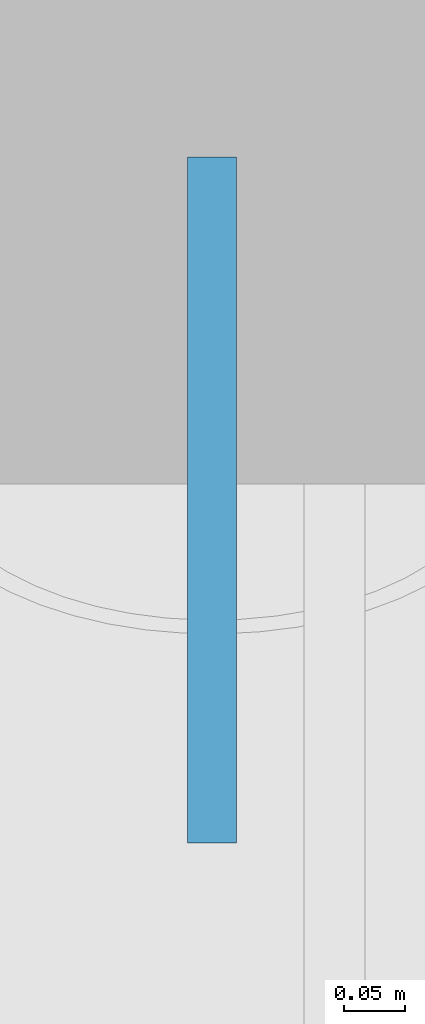
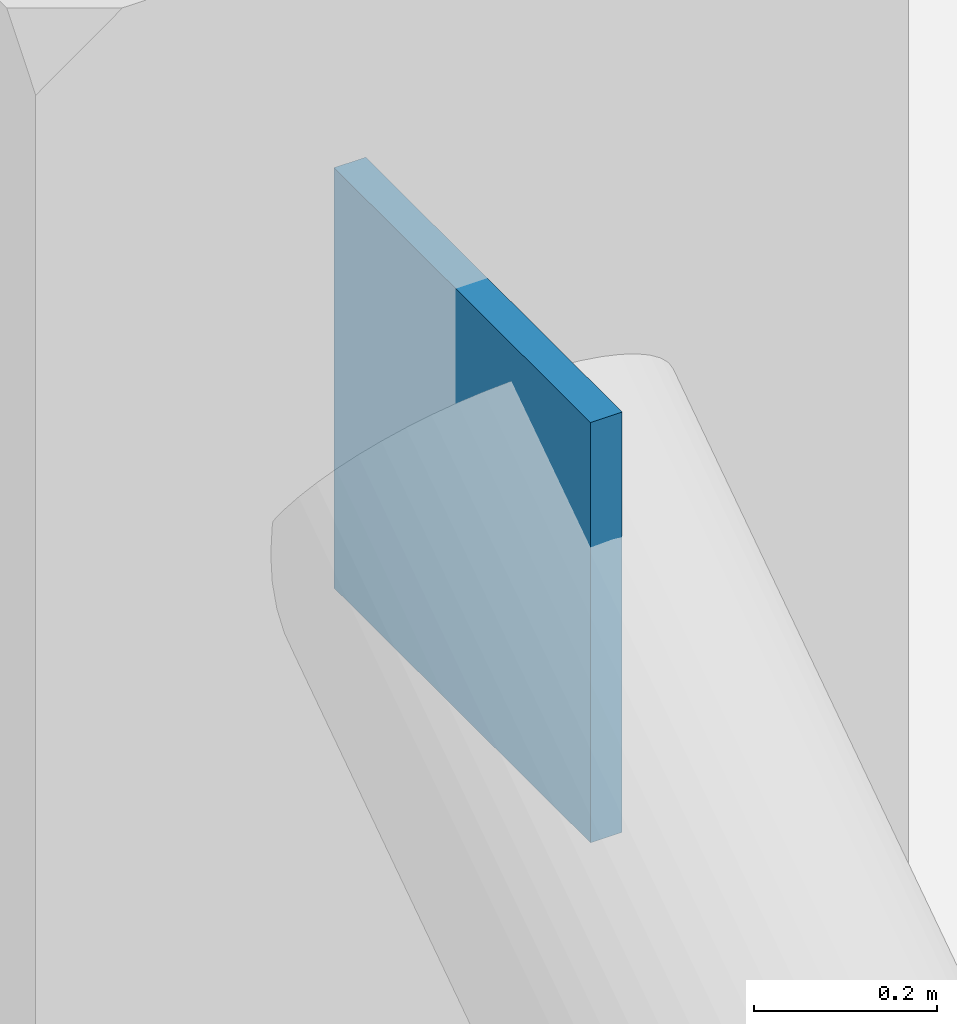
# One storey, part 10 of 18: 1 plate.
"""IFC4 building model written with IfcOpenShell, lengths in metres."""

from ifc_helpers import new_model, si_unit, direction, frame, origin, origin_2d, place, context, subcontext, project, spatial, rectangle, extrude, material, layer, layer_set, type_object, element, save


model = new_model("IFC4")

# Units and contexts
model_context = context("Model", 3, precision=1e-05, world=origin(), true_north=direction((0.0, 1.0)))
body_context = subcontext(model_context, "Body", "Model", "MODEL_VIEW")
ifc_project = project(units=[si_unit("LENGTHUNIT", "METRE"), si_unit("AREAUNIT", "SQUARE_METRE"), si_unit("VOLUMEUNIT", "CUBIC_METRE"), si_unit("PLANEANGLEUNIT", "RADIAN"), si_unit("MASSUNIT", "GRAM", prefix="KILO")], contexts=[model_context])

# Site, building, storey
site_placement = place(None, origin())
site = spatial("IfcSite", under=ifc_project, at=site_placement, CompositionType="ELEMENT")
building_placement = place(site_placement, origin())
building = spatial("IfcBuilding", under=site, at=building_placement, Name="Koriwani Terraces Tower", CompositionType="ELEMENT")
storey_placement = place(building_placement, frame((0.0, 0.0, 228.199951171875)))
storey = spatial("IfcBuildingStorey", under=building, at=storey_placement, Name="L56", CompositionType="ELEMENT", Elevation=228.199951171875)

# Plate
ifc_material = material(Name="Steel ASTM A572 Grade 50", Category="steel")
ifc_layer = layer(ifc_material, 0.0400390625, Name="Steel ASTM A572 Grade 50")
ifc_layer_set = layer_set([ifc_layer], Name="Steel ASTM A572 Grade 50")
plate_type = type_object("IfcPlateType", Name="STEEL_GUSSET_PLATE_40", PredefinedType="USERDEFINED", material=ifc_layer_set)
plate_placement = place(storey_placement, frame((0.0, 66.636962890625, 4.917724609375), z_axis=(0.0, 0.0, 1.0), x_axis=(0.0, 1.0, 0.0)))
element("IfcPlate", 1, at=plate_placement, inside=storey, type_object=plate_type, Name="Brace Node Gusset Plate BT-L56-BW4", ObjectType="GUSSET_PLATE", PredefinedType="USERDEFINED", context=body_context, shape_type="SweptSolid", body=[
    extrude(rectangle(XDim=0.56005859375, YDim=0.0400390625, at=origin_2d()), origin(), (0.0, 0.0, 1.0), 0.56005859375),
])

save(model, "model.ifc")
